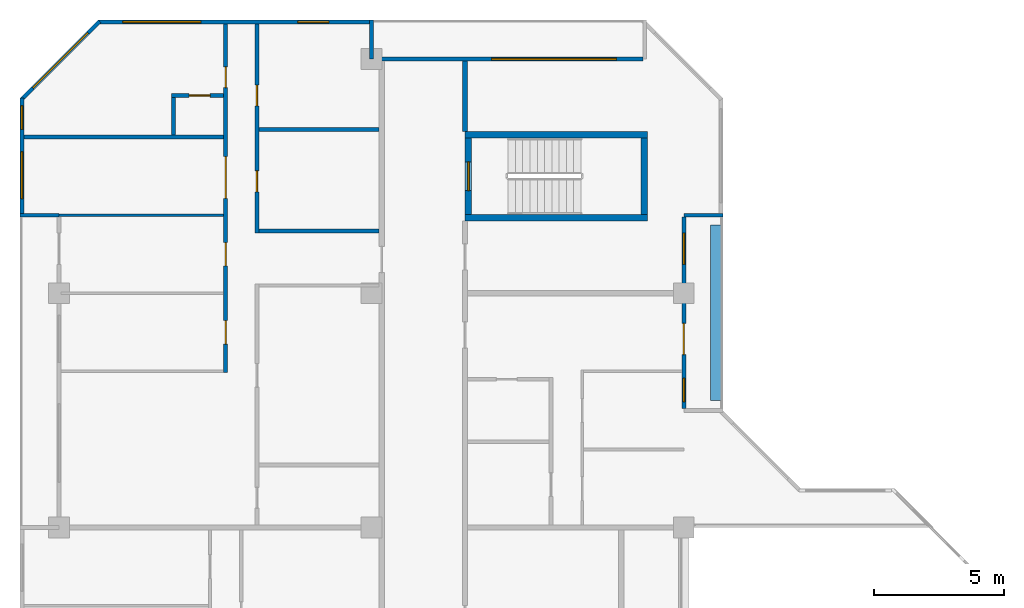
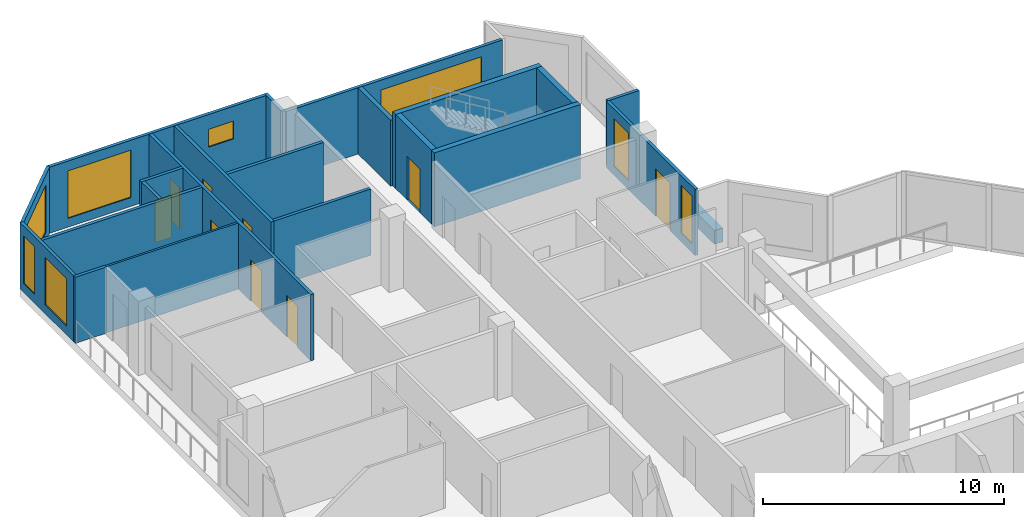
# One storey, part 10 of 13: 22 walls, 9 doors, 8 windows, 17 openings.
"""IFC4 building model written with IfcOpenShell, lengths in metres."""

from ifc_helpers import new_model, si_unit, direction, frame, frame_2d, origin, place, context, subcontext, project, spatial, rectangle, extrude, material, layer, layer_set, type_object, element, fill, save


model = new_model("IFC4")

# Units and contexts
model_context = context("Model", 3, precision=1e-05, world=origin(), true_north=direction((0.0, 1.0)))
body_context = subcontext(model_context, "Body", "Model", "MODEL_VIEW")
ifc_project = project(units=[si_unit("LENGTHUNIT", "METRE"), si_unit("AREAUNIT", "SQUARE_METRE"), si_unit("VOLUMEUNIT", "CUBIC_METRE"), si_unit("PLANEANGLEUNIT", "RADIAN"), si_unit("MASSUNIT", "GRAM", prefix="KILO")], contexts=[model_context])

# Site, building, storey
site_placement = place(None, origin())
site = spatial("IfcSite", under=ifc_project, at=site_placement, CompositionType="ELEMENT")
building_placement = place(site_placement, origin())
building = spatial("IfcBuilding", under=site, at=building_placement, Name="Chenar Terraces", CompositionType="ELEMENT")
storey_placement = place(building_placement, frame((0.0, 0.0, 284.64990234375)))
storey = spatial("IfcBuildingStorey", under=building, at=storey_placement, Name="L66", CompositionType="ELEMENT", Elevation=284.64990234375)

# Walls
ifc_material_1 = material(Name="Concrete C50/60", Category="concrete")
ifc_layer_1 = layer(ifc_material_1, 0.25)
ifc_layer_set_1 = layer_set([ifc_layer_1], Name="Concrete C50/60")
wall_type_1 = type_object("IfcWallType", Name="Core wall 250 Concrete C50/60", PredefinedType="SHEAR", material=ifc_layer_set_1)
for number, where, z_axis, x_axis, name in (
    (1, (15.60009765625, 47.89990234375, 0.0), (0.0, 0.0, 1.0), (1.0, 0.0, 0.0), "Core wall ST4_S L66"),
    (2, (15.60009765625, 51.10009765625, 0.0), (0.0, 0.0, 1.0), (1.0, 0.0, 0.0), "Core wall ST4_N L66"),
):
    element("IfcWall", number, at=place(storey_placement, frame(where, z_axis=z_axis, x_axis=x_axis)), inside=storey, type_object=wall_type_1, Name=name, PredefinedType="SHEAR", context=body_context, shape_type="SweptSolid", body=[
        extrude(rectangle(XDim=7.0, YDim=0.25, at=frame_2d((3.5, 0.0))), origin(), (0.0, 0.0, 1.0), 3.75),
    ])

# Wall, opening, door
wall_1_placement = place(storey_placement, frame((15.72509765625, 48.02490234375, 0.0), z_axis=(0.0, 0.0, 1.0), x_axis=(0.0, 1.0, 0.0)))
wall_1 = element("IfcWall", 3, at=wall_1_placement, inside=storey, type_object=wall_type_1, Name="Core wall ST4_W L66", PredefinedType="SHEAR", context=body_context, shape_type="SweptSolid", body=[
    extrude(rectangle(XDim=2.9501953125, YDim=0.25, at=frame_2d((1.47509765625, 0.0))), origin(), (0.0, 0.0, 1.0), 3.75),
])
opening_1_placement = place(wall_1_placement, frame((0.925048828125, 0.0, 0.0)))
opening_1 = element("IfcOpeningElement", 4, at=opening_1_placement, cuts=wall_1, Name="Opening DL66-C9", PredefinedType="OPENING", context=body_context, shape_type="SweptSolid", body=[
    extrude(rectangle(XDim=1.10009765625, YDim=2.199951171875, at=frame_2d((0.550048828125, 1.10009765625))), frame((0.0, 0.135009765625, 0.0), z_axis=(0.0, -1.0, 0.0), x_axis=(1.0, 0.0, 0.0)), (0.0, 0.0, 1.0), 0.27001953125),
])
ifc_material_2 = material(Name="Steel-framed fire-resisting door leaf", Category="steel")
door_type_1 = type_object("IfcDoorType", Name="Stair fire door FD60 1100 x 2200", OperationType="SINGLE_SWING_LEFT", PredefinedType="DOOR", material=ifc_material_2)
door_1_placement = place(opening_1_placement, frame((1.10009765625, 0.0, 0.0), z_axis=(0.0, 0.0, 1.0), x_axis=(-1.0, 0.0, 0.0)))
door_1 = element("IfcDoor", 5, at=door_1_placement, inside=storey, type_object=door_type_1, Name="Stair door DL66-C9", OperationType="SINGLE_SWING_RIGHT", OverallHeight=2.199951171875, OverallWidth=1.10009765625, PredefinedType="DOOR", context=body_context, shape_type="SweptSolid", body=[
    extrude(rectangle(XDim=1.10009765625, YDim=2.199951171875, at=frame_2d((0.550048828125, 1.10009765625))), frame((0.0, 0.02490234375, 0.0), z_axis=(0.0, -1.0, 0.0), x_axis=(1.0, 0.0, 0.0)), (0.0, 0.0, 1.0), 0.050048828125),
])
fill(opening_1, door_1)

# Walls
wall_2_placement = place(storey_placement, frame((22.47509765625, 48.02490234375, 0.0), z_axis=(0.0, 0.0, 1.0), x_axis=(0.0, 1.0, 0.0)))
element("IfcWall", 6, at=wall_2_placement, inside=storey, type_object=wall_type_1, Name="Core wall ST4_E L66", PredefinedType="SHEAR", context=body_context, shape_type="SweptSolid", body=[
    extrude(rectangle(XDim=2.9501953125, YDim=0.25, at=frame_2d((1.47509765625, 0.0))), origin(), (0.0, 0.0, 1.0), 3.75),
])
ifc_material_3 = material(Name="Gypsum board on steel studs with fire boards", Category="steel")
ifc_layer_2 = layer(ifc_material_3, 0.199951171875)
ifc_layer_set_2 = layer_set([ifc_layer_2], Name="Gypsum board on steel studs with fire boards")
wall_type_2 = type_object("IfcWallType", Name="Corridor wall 200", PredefinedType="PARTITIONING", material=ifc_layer_set_2)
wall_3_placement = place(storey_placement, frame((15.60009765625, 51.22509765625, 0.0), z_axis=(0.0, 0.0, 1.0), x_axis=(0.0, 1.0, 0.0)))
element("IfcWall", 7, at=wall_3_placement, inside=storey, type_object=wall_type_2, Name="Partition L66-030", PredefinedType="PARTITIONING", context=body_context, shape_type="SweptSolid", body=[
    extrude(rectangle(XDim=2.700927734375, YDim=0.199951171875, at=frame_2d((1.3505859375, 0.0))), origin(), (0.0, 0.0, 1.0), 3.35009765625),
])

# Wall, openings, windows
ifc_material_4 = material(Name="Aluminium framed glazing", Category="aluminium")
ifc_layer_3 = layer(ifc_material_4, 0.14990234375)
ifc_layer_set_3 = layer_set([ifc_layer_3], Name="Aluminium framed glazing")
wall_type_3 = type_object("IfcWallType", Name="Glazed flush facade wall 150", PredefinedType="SOLIDWALL", material=ifc_layer_set_3)
wall_4_placement = place(storey_placement, frame((11.925048828125, 55.425048828125, 0.0), z_axis=(0.0, 0.0, 1.0), x_axis=(-1.0, 0.0, 0.0)))
wall_4 = element("IfcWall", 8, at=wall_4_placement, inside=storey, type_object=wall_type_3, Name="Glazed flush facade wall", PredefinedType="SOLIDWALL", context=body_context, shape_type="SweptSolid", body=[
    extrude(rectangle(XDim=10.425048828125, YDim=0.14990234375, at=frame_2d((5.21240234375, 0.0))), origin(), (0.0, 0.0, 1.0), 3.35009765625),
])
opening_2_placement = place(wall_4_placement, frame((1.5625, 0.0, 1.699951171875)))
opening_2 = element("IfcOpeningElement", 9, at=opening_2_placement, cuts=wall_4, Name="Opening W120x90", PredefinedType="OPENING", context=body_context, shape_type="SweptSolid", body=[
    extrude(rectangle(XDim=1.199951171875, YDim=0.89990234375, at=frame_2d((0.60009765625, 0.449951171875))), frame((0.0, 0.0849609375, 0.0), z_axis=(0.0, -1.0, 0.0), x_axis=(1.0, 0.0, 0.0)), (0.0, 0.0, 1.0), 0.169921875),
])
opening_3_placement = place(wall_4_placement, frame((6.47509765625, 0.0, 0.449951171875)))
opening_3 = element("IfcOpeningElement", 10, at=opening_3_placement, cuts=wall_4, Name="Opening W300x240", PredefinedType="OPENING", context=body_context, shape_type="SweptSolid", body=[
    extrude(rectangle(XDim=3.0, YDim=2.39990234375, at=frame_2d((1.5, 1.199951171875))), frame((0.0, 0.0849609375, 0.0), z_axis=(0.0, -1.0, 0.0), x_axis=(1.0, 0.0, 0.0)), (0.0, 0.0, 1.0), 0.169921875),
])
ifc_material_5 = material(Name="Low emissivity double glazing, aluminium frame", Category="aluminium")
window_type_1 = type_object("IfcWindowType", Name="Fixed light 1200 x 900", PartitioningType="SINGLE_PANEL", PredefinedType="WINDOW", material=ifc_material_5)
window_1_placement = place(opening_2_placement, origin())
window_1 = element("IfcWindow", 11, at=window_1_placement, inside=storey, type_object=window_type_1, Name="Window", OverallHeight=0.89990234375, OverallWidth=1.199951171875, PartitioningType="SINGLE_PANEL", PredefinedType="WINDOW", context=body_context, shape_type="SweptSolid", body=[
    extrude(rectangle(XDim=1.199951171875, YDim=0.89990234375, at=frame_2d((0.60009765625, 0.449951171875))), frame((0.0, 0.030029296875, 0.0), z_axis=(0.0, -1.0, 0.0), x_axis=(1.0, 0.0, 0.0)), (0.0, 0.0, 1.0), 0.06005859375),
])
fill(opening_2, window_1)
ifc_material_6 = material(Name="Low emissivity double glazing, aluminium frame", Category="aluminium")
window_type_2 = type_object("IfcWindowType", Name="Fixed light 3000 x 2400", PartitioningType="SINGLE_PANEL", PredefinedType="WINDOW", material=ifc_material_6)
window_2_placement = place(opening_3_placement, origin())
window_2 = element("IfcWindow", 12, at=window_2_placement, inside=storey, type_object=window_type_2, Name="Window", OverallHeight=2.39990234375, OverallWidth=3.0, PartitioningType="SINGLE_PANEL", PredefinedType="WINDOW", context=body_context, shape_type="SweptSolid", body=[
    extrude(rectangle(XDim=3.0, YDim=2.39990234375, at=frame_2d((1.5, 1.199951171875))), frame((0.0, 0.030029296875, 0.0), z_axis=(0.0, -1.0, 0.0), x_axis=(1.0, 0.0, 0.0)), (0.0, 0.0, 1.0), 0.06005859375),
])
fill(opening_3, window_2)

wall_5_placement = place(storey_placement, frame((-1.425048828125, 52.5, 0.0), z_axis=(0.0, 0.0, 1.0), x_axis=(0.0, -1.0, 0.0)))
wall_5 = element("IfcWall", 13, at=wall_5_placement, inside=storey, type_object=wall_type_3, Name="Glazed flush facade wall", PredefinedType="SOLIDWALL", context=body_context, shape_type="SweptSolid", body=[
    extrude(rectangle(XDim=4.425048828125, YDim=0.14990234375, at=frame_2d((2.21240234375, 0.0))), origin(), (0.0, 0.0, 1.0), 3.35009765625),
])
opening_4_placement = place(wall_5_placement, frame((0.300048828125, 0.0, 0.449951171875)))
opening_4 = element("IfcOpeningElement", 14, at=opening_4_placement, cuts=wall_5, Name="Opening W90x240", PredefinedType="OPENING", context=body_context, shape_type="SweptSolid", body=[
    extrude(rectangle(XDim=0.89990234375, YDim=2.39990234375, at=frame_2d((0.449951171875, 1.199951171875))), frame((0.0, 0.0849609375, 0.0), z_axis=(0.0, -1.0, 0.0), x_axis=(1.0, 0.0, 0.0)), (0.0, 0.0, 1.0), 0.169921875),
])
opening_5_placement = place(wall_5_placement, frame((2.0625, 0.0, 0.449951171875)))
opening_5 = element("IfcOpeningElement", 15, at=opening_5_placement, cuts=wall_5, Name="Opening W180x240", PredefinedType="OPENING", context=body_context, shape_type="SweptSolid", body=[
    extrude(rectangle(XDim=1.800048828125, YDim=2.39990234375, at=frame_2d((0.89990234375, 1.199951171875))), frame((0.0, 0.0849609375, 0.0), z_axis=(0.0, -1.0, 0.0), x_axis=(1.0, 0.0, 0.0)), (0.0, 0.0, 1.0), 0.169921875),
])
ifc_material_7 = material(Name="Low emissivity double glazing, aluminium frame", Category="aluminium")
window_type_3 = type_object("IfcWindowType", Name="Fixed light 1800 x 2400", PartitioningType="SINGLE_PANEL", PredefinedType="WINDOW", material=ifc_material_7)
window_3_placement = place(opening_5_placement, origin())
window_3 = element("IfcWindow", 16, at=window_3_placement, inside=storey, type_object=window_type_3, Name="Window", OverallHeight=2.39990234375, OverallWidth=1.800048828125, PartitioningType="SINGLE_PANEL", PredefinedType="WINDOW", context=body_context, shape_type="SweptSolid", body=[
    extrude(rectangle(XDim=1.800048828125, YDim=2.39990234375, at=frame_2d((0.89990234375, 1.199951171875))), frame((0.0, 0.030029296875, 0.0), z_axis=(0.0, -1.0, 0.0), x_axis=(1.0, 0.0, 0.0)), (0.0, 0.0, 1.0), 0.06005859375),
])
fill(opening_5, window_3)
ifc_material_8 = material(Name="Low emissivity double glazing, aluminium frame", Category="aluminium")
window_type_4 = type_object("IfcWindowType", Name="Fixed light 900 x 2400", PartitioningType="SINGLE_PANEL", PredefinedType="WINDOW", material=ifc_material_8)
window_4_placement = place(opening_4_placement, origin())
window_4 = element("IfcWindow", 17, at=window_4_placement, inside=storey, type_object=window_type_4, Name="Window", OverallHeight=2.39990234375, OverallWidth=0.89990234375, PartitioningType="SINGLE_PANEL", PredefinedType="WINDOW", context=body_context, shape_type="SweptSolid", body=[
    extrude(rectangle(XDim=0.89990234375, YDim=2.39990234375, at=frame_2d((0.449951171875, 1.199951171875))), frame((0.0, 0.030029296875, 0.0), z_axis=(0.0, -1.0, 0.0), x_axis=(1.0, 0.0, 0.0)), (0.0, 0.0, 1.0), 0.06005859375),
])
fill(opening_4, window_4)

# Wall, openings, windows, door
ifc_material_9 = material(Name="Aluminium framed glazing", Category="aluminium")
ifc_layer_4 = layer(ifc_material_9, 0.14990234375)
ifc_layer_set_4 = layer_set([ifc_layer_4], Name="Aluminium framed glazing")
wall_type_4 = type_object("IfcWallType", Name="Glazed loggia back wall 150", PredefinedType="SOLIDWALL", material=ifc_layer_set_4)
wall_6_placement = place(storey_placement, frame((24.0, 40.574951171875, 0.0), z_axis=(0.0, 0.0, 1.0), x_axis=(0.0, 1.0, 0.0)))
wall_6 = element("IfcWall", 18, at=wall_6_placement, inside=storey, type_object=wall_type_4, Name="Glazed loggia back wall", PredefinedType="SOLIDWALL", context=body_context, shape_type="SweptSolid", body=[
    extrude(rectangle(XDim=7.35009765625, YDim=0.14990234375, at=frame_2d((3.675048828125, 0.0))), origin(), (0.0, 0.0, 1.0), 3.35009765625),
])
opening_6_placement = place(wall_6_placement, frame((0.262451171875, 0.0, 0.449951171875)))
opening_6 = element("IfcOpeningElement", 19, at=opening_6_placement, cuts=wall_6, Name="Opening W90x240", PredefinedType="OPENING", context=body_context, shape_type="SweptSolid", body=[
    extrude(rectangle(XDim=0.89990234375, YDim=2.39990234375, at=frame_2d((0.449951171875, 1.199951171875))), frame((0.0, 0.0849609375, 0.0), z_axis=(0.0, -1.0, 0.0), x_axis=(1.0, 0.0, 0.0)), (0.0, 0.0, 1.0), 0.169921875),
])
opening_7_placement = place(wall_6_placement, frame((2.074951171875, 0.0, 0.0)))
opening_7 = element("IfcOpeningElement", 20, at=opening_7_placement, cuts=wall_6, Name="Opening DL66-G2", PredefinedType="OPENING", context=body_context, shape_type="SweptSolid", body=[
    extrude(rectangle(XDim=1.199951171875, YDim=2.39990234375, at=frame_2d((0.60009765625, 1.199951171875))), frame((0.0, 0.0849609375, 0.0), z_axis=(0.0, -1.0, 0.0), x_axis=(1.0, 0.0, 0.0)), (0.0, 0.0, 1.0), 0.169921875),
])
opening_8_placement = place(wall_6_placement, frame((5.53759765625, 0.0, 0.449951171875)))
opening_8 = element("IfcOpeningElement", 21, at=opening_8_placement, cuts=wall_6, Name="Opening W120x240", PredefinedType="OPENING", context=body_context, shape_type="SweptSolid", body=[
    extrude(rectangle(XDim=1.199951171875, YDim=2.39990234375, at=frame_2d((0.60009765625, 1.199951171875))), frame((0.0, 0.0849609375, 0.0), z_axis=(0.0, -1.0, 0.0), x_axis=(1.0, 0.0, 0.0)), (0.0, 0.0, 1.0), 0.169921875),
])
ifc_material_10 = material(Name="Low emissivity double glazing, aluminium frame", Category="aluminium")
window_type_5 = type_object("IfcWindowType", Name="Fixed light 1200 x 2400", PartitioningType="SINGLE_PANEL", PredefinedType="WINDOW", material=ifc_material_10)
window_5_placement = place(opening_8_placement, origin())
window_5 = element("IfcWindow", 22, at=window_5_placement, inside=storey, type_object=window_type_5, Name="Window", OverallHeight=2.39990234375, OverallWidth=1.199951171875, PartitioningType="SINGLE_PANEL", PredefinedType="WINDOW", context=body_context, shape_type="SweptSolid", body=[
    extrude(rectangle(XDim=1.199951171875, YDim=2.39990234375, at=frame_2d((0.60009765625, 1.199951171875))), frame((0.0, 0.030029296875, 0.0), z_axis=(0.0, -1.0, 0.0), x_axis=(1.0, 0.0, 0.0)), (0.0, 0.0, 1.0), 0.06005859375),
])
fill(opening_8, window_5)
window_6_placement = place(opening_6_placement, origin())
window_6 = element("IfcWindow", 23, at=window_6_placement, inside=storey, type_object=window_type_4, Name="Window", OverallHeight=2.39990234375, OverallWidth=0.89990234375, PartitioningType="SINGLE_PANEL", PredefinedType="WINDOW", context=body_context, shape_type="SweptSolid", body=[
    extrude(rectangle(XDim=0.89990234375, YDim=2.39990234375, at=frame_2d((0.449951171875, 1.199951171875))), frame((0.0, 0.030029296875, 0.0), z_axis=(0.0, -1.0, 0.0), x_axis=(1.0, 0.0, 0.0)), (0.0, 0.0, 1.0), 0.06005859375),
])
fill(opening_6, window_6)
ifc_material_11 = material(Name="Low emissivity double glazing, aluminium frame", Category="aluminium")
door_type_2 = type_object("IfcDoorType", Name="Loggia glazed double door 1200 x 2400", OperationType="DOUBLE_DOOR_SINGLE_SWING", PredefinedType="DOOR", material=ifc_material_11)
door_2_placement = place(opening_7_placement, frame((1.199951171875, 0.0, 0.0), z_axis=(0.0, 0.0, 1.0), x_axis=(-1.0, 0.0, 0.0)))
door_2 = element("IfcDoor", 24, at=door_2_placement, inside=storey, type_object=door_type_2, Name="Loggia glazed door", OperationType="DOUBLE_DOOR_SINGLE_SWING", OverallHeight=2.39990234375, OverallWidth=1.199951171875, PredefinedType="DOOR", context=body_context, shape_type="SweptSolid", body=[
    extrude(rectangle(XDim=1.199951171875, YDim=2.39990234375, at=frame_2d((0.60009765625, 1.199951171875))), frame((0.0, 0.02490234375, 0.0), z_axis=(0.0, -1.0, 0.0), x_axis=(1.0, 0.0, 0.0)), (0.0, 0.0, 1.0), 0.050048828125),
])
fill(opening_7, door_2)

# Wall, opening, window
wall_7_placement = place(storey_placement, frame((22.425048828125, 54.0, 0.0), z_axis=(0.0, 0.0, 1.0), x_axis=(-1.0, 0.0, 0.0)))
wall_7 = element("IfcWall", 25, at=wall_7_placement, inside=storey, type_object=wall_type_4, Name="Glazed loggia back wall", PredefinedType="SOLIDWALL", context=body_context, shape_type="SweptSolid", body=[
    extrude(rectangle(XDim=10.35009765625, YDim=0.14990234375, at=frame_2d((5.175048828125, 0.0))), origin(), (0.0, 0.0, 1.0), 3.35009765625),
])
opening_9_placement = place(wall_7_placement, frame((1.012451171875, 0.0, 0.449951171875)))
opening_9 = element("IfcOpeningElement", 26, at=opening_9_placement, cuts=wall_7, Name="Opening W480x240", PredefinedType="OPENING", context=body_context, shape_type="SweptSolid", body=[
    extrude(rectangle(XDim=4.800048828125, YDim=2.39990234375, at=frame_2d((2.39990234375, 1.199951171875))), frame((0.0, 0.0849609375, 0.0), z_axis=(0.0, -1.0, 0.0), x_axis=(1.0, 0.0, 0.0)), (0.0, 0.0, 1.0), 0.169921875),
])
ifc_material_12 = material(Name="Low emissivity double glazing, aluminium frame", Category="aluminium")
window_type_6 = type_object("IfcWindowType", Name="Fixed light 4800 x 2400", PartitioningType="SINGLE_PANEL", PredefinedType="WINDOW", material=ifc_material_12)
window_7_placement = place(opening_9_placement, origin())
window_7 = element("IfcWindow", 27, at=window_7_placement, inside=storey, type_object=window_type_6, Name="Window", OverallHeight=2.39990234375, OverallWidth=4.800048828125, PartitioningType="SINGLE_PANEL", PredefinedType="WINDOW", context=body_context, shape_type="SweptSolid", body=[
    extrude(rectangle(XDim=4.800048828125, YDim=2.39990234375, at=frame_2d((2.39990234375, 1.199951171875))), frame((0.0, 0.030029296875, 0.0), z_axis=(0.0, -1.0, 0.0), x_axis=(1.0, 0.0, 0.0)), (0.0, 0.0, 1.0), 0.06005859375),
])
fill(opening_9, window_7)

# Walls
ifc_material_13 = material(Name="Gypsum board on steel studs", Category="steel")
ifc_layer_5 = layer(ifc_material_13, 0.10009765625)
ifc_layer_set_5 = layer_set([ifc_layer_5], Name="Gypsum board on steel studs")
wall_type_5 = type_object("IfcWallType", Name="Gypsum partition 100", PredefinedType="PARTITIONING", material=ifc_layer_set_5)
wall_8_placement = place(storey_placement, frame((0.0, 48.0, 0.0), z_axis=(0.0, 0.0, 1.0), x_axis=(1.0, 0.0, 0.0)))
element("IfcWall", 28, at=wall_8_placement, inside=storey, type_object=wall_type_5, Name="Partition L66-005", PredefinedType="PARTITIONING", context=body_context, shape_type="SweptSolid", body=[
    extrude(rectangle(XDim=6.324951171875, YDim=0.10009765625, at=frame_2d((3.16259765625, 0.0))), origin(), (0.0, 0.0, 1.0), 3.35009765625),
])
ifc_material_14 = material(Name="Terracotta cladding on insulated backing", Category="masonry")
ifc_layer_6 = layer(ifc_material_14, 0.14990234375)
ifc_layer_set_6 = layer_set([ifc_layer_6], Name="Terracotta cladding on insulated backing")
wall_type_6 = type_object("IfcWallType", Name="Loggia return wall 150", PredefinedType="SOLIDWALL", material=ifc_layer_set_6)
for number, where, z_axis, x_axis, name in (
    (29, (25.5, 48.0, 0.0), (0.0, 0.0, 1.0), (-1.0, 0.0, 0.0), "Loggia return wall"),
    (30, (12.0, 55.5, 0.0), (0.0, 0.0, 1.0), (0.0, -1.0, 0.0), "Loggia return wall"),
    (31, (-1.5, 48.0, 0.0), (0.0, 0.0, 1.0), (1.0, 0.0, 0.0), "Loggia return wall"),
):
    element("IfcWall", number, at=place(storey_placement, frame(where, z_axis=z_axis, x_axis=x_axis)), inside=storey, type_object=wall_type_6, Name=name, PredefinedType="SOLIDWALL", context=body_context, shape_type="SweptSolid", body=[
        extrude(rectangle(XDim=1.5, YDim=0.14990234375, at=frame_2d((0.75, 0.0))), origin(), (0.0, 0.0, 1.0), 3.35009765625),
    ])

# Wall, opening, window
ifc_material_15 = material(Name="Terracotta cladding on insulated backing", Category="masonry")
ifc_layer_7 = layer(ifc_material_15, 0.14990234375)
ifc_layer_set_7 = layer_set([ifc_layer_7], Name="Terracotta cladding on insulated backing")
wall_type_7 = type_object("IfcWallType", Name="Terracotta rainscreen wall 150", PredefinedType="SOLIDWALL", material=ifc_layer_set_7)
wall_9_placement = place(storey_placement, frame((1.552978515625, 55.447021484375, 0.0), z_axis=(0.0, 0.0, 1.0), x_axis=(-0.707106781187, -0.707106781187, 0.0)))
wall_9 = element("IfcWall", 32, at=wall_9_placement, inside=storey, type_object=wall_type_7, Name="Terracotta rainscreen wall", PredefinedType="SOLIDWALL", context=body_context, shape_type="SweptSolid", body=[
    extrude(rectangle(XDim=4.24267578125, YDim=0.14990234375, at=frame_2d((2.121337890625, 0.0))), origin(), (0.0, 0.0, 1.0), 3.35009765625),
])
opening_10_placement = place(wall_9_placement, frame((0.621337890625, 0.0, 0.449951171875)))
opening_10 = element("IfcOpeningElement", 33, at=opening_10_placement, cuts=wall_9, Name="Opening W300x240", PredefinedType="OPENING", context=body_context, shape_type="SweptSolid", body=[
    extrude(rectangle(XDim=3.0, YDim=2.39990234375, at=frame_2d((1.5, 1.199951171875))), frame((0.0, 0.0849609375, 0.0), z_axis=(0.0, -1.0, 0.0), x_axis=(1.0, 0.0, 0.0)), (0.0, 0.0, 1.0), 0.169921875),
])
window_8_placement = place(opening_10_placement, origin())
window_8 = element("IfcWindow", 34, at=window_8_placement, inside=storey, type_object=window_type_2, Name="Window", OverallHeight=2.39990234375, OverallWidth=3.0, PartitioningType="SINGLE_PANEL", PredefinedType="WINDOW", context=body_context, shape_type="SweptSolid", body=[
    extrude(rectangle(XDim=3.0, YDim=2.39990234375, at=frame_2d((1.5, 1.199951171875))), frame((0.0, 0.030029296875, 0.0), z_axis=(0.0, -1.0, 0.0), x_axis=(1.0, 0.0, 0.0)), (0.0, 0.0, 1.0), 0.06005859375),
])
fill(opening_10, window_8)

# Walls
ifc_material_16 = material(Name="GRP planter trough")
ifc_layer_8 = layer(ifc_material_16, 0.39990234375)
ifc_layer_set_8 = layer_set([ifc_layer_8], Name="GRP planter trough")
wall_type_8 = type_object("IfcWallType", Name="Vertical greenery planter 400", PredefinedType="SOLIDWALL", material=ifc_layer_set_8)
wall_10_placement = place(storey_placement, frame((25.22900390625, 40.875, 0.0), z_axis=(0.0, 0.0, 1.0), x_axis=(0.0, 1.0, 0.0)))
element("IfcWall", 35, at=wall_10_placement, inside=storey, type_object=wall_type_8, Name="Vertical greenery planter", PredefinedType="SOLIDWALL", context=body_context, shape_type="SweptSolid", body=[
    extrude(rectangle(XDim=6.75, YDim=0.39990234375, at=frame_2d((3.375, 0.0))), origin(), (0.0, 0.0, 1.0), 0.7001953125),
])
ifc_material_17 = material(Name="Moisture-resistant gypsum board on steel studs", Category="steel")
ifc_layer_9 = layer(ifc_material_17, 0.14990234375)
ifc_layer_set_9 = layer_set([ifc_layer_9], Name="Moisture-resistant gypsum board on steel studs")
wall_type_9 = type_object("IfcWallType", Name="Wet-room partition 150", PredefinedType="PARTITIONING", material=ifc_layer_set_9)
wall_11_placement = place(storey_placement, frame((-1.35107421875, 51.0, 0.0), z_axis=(0.0, 0.0, 1.0), x_axis=(1.0, 0.0, 0.0)))
element("IfcWall", 36, at=wall_11_placement, inside=storey, type_object=wall_type_9, Name="Partition L66-002", PredefinedType="PARTITIONING", context=body_context, shape_type="SweptSolid", body=[
    extrude(rectangle(XDim=7.676025390625, YDim=0.14990234375, at=frame_2d((3.837890625, 0.0))), origin(), (0.0, 0.0, 1.0), 3.35009765625),
])

# Wall, opening, door
wall_12_placement = place(storey_placement, frame((4.324951171875, 52.60009765625, 0.0), z_axis=(0.0, 0.0, 1.0), x_axis=(1.0, 0.0, 0.0)))
wall_12 = element("IfcWall", 37, at=wall_12_placement, inside=storey, type_object=wall_type_9, Name="Partition L66-011", PredefinedType="PARTITIONING", context=body_context, shape_type="SweptSolid", body=[
    extrude(rectangle(XDim=2.0, YDim=0.14990234375, at=frame_2d((1.0, 0.0))), origin(), (0.0, 0.0, 1.0), 3.35009765625),
])
opening_11_placement = place(wall_12_placement, frame((0.675048828125, 0.0, 0.0)))
opening_11 = element("IfcOpeningElement", 38, at=opening_11_placement, cuts=wall_12, Name="Opening DL66-26", PredefinedType="OPENING", context=body_context, shape_type="SweptSolid", body=[
    extrude(rectangle(XDim=0.800048828125, YDim=2.10009765625, at=frame_2d((0.39990234375, 1.050048828125))), frame((0.0, 0.0849609375, 0.0), z_axis=(0.0, -1.0, 0.0), x_axis=(1.0, 0.0, 0.0)), (0.0, 0.0, 1.0), 0.169921875),
])
ifc_material_18 = material(Name="Veneered timber door leaf", Category="wood")
door_type_3 = type_object("IfcDoorType", Name="Door 800 x 2100", OperationType="SINGLE_SWING_LEFT", PredefinedType="DOOR", material=ifc_material_18)
door_3_placement = place(opening_11_placement, frame((0.800048828125, 0.0, 0.0), z_axis=(0.0, 0.0, 1.0), x_axis=(-1.0, 0.0, 0.0)))
door_3 = element("IfcDoor", 39, at=door_3_placement, inside=storey, type_object=door_type_3, Name="Door DL66-26", OperationType="SINGLE_SWING_RIGHT", OverallHeight=2.10009765625, OverallWidth=0.800048828125, PredefinedType="DOOR", context=body_context, shape_type="SweptSolid", body=[
    extrude(rectangle(XDim=0.800048828125, YDim=2.10009765625, at=frame_2d((0.39990234375, 1.050048828125))), frame((0.0, 0.02490234375, 0.0), z_axis=(0.0, -1.0, 0.0), x_axis=(1.0, 0.0, 0.0)), (0.0, 0.0, 1.0), 0.050048828125),
])
fill(opening_11, door_3)

# Wall
wall_13_placement = place(storey_placement, frame((4.39990234375, 51.074951171875, 0.0), z_axis=(0.0, 0.0, 1.0), x_axis=(0.0, 1.0, 0.0)))
element("IfcWall", 40, at=wall_13_placement, inside=storey, type_object=wall_type_9, Name="Partition L66-012", PredefinedType="PARTITIONING", context=body_context, shape_type="SweptSolid", body=[
    extrude(rectangle(XDim=1.449951171875, YDim=0.14990234375, at=frame_2d((0.72509765625, 0.0))), origin(), (0.0, 0.0, 1.0), 3.35009765625),
])

# Wall, openings, doors
wall_14_placement = place(storey_placement, frame((6.39990234375, 41.949951171875, 0.0), z_axis=(0.0, 0.0, 1.0), x_axis=(0.0, 1.0, 0.0)))
wall_14 = element("IfcWall", 41, at=wall_14_placement, inside=storey, type_object=wall_type_9, Name="Partition L66-014", PredefinedType="PARTITIONING", context=body_context, shape_type="SweptSolid", body=[
    extrude(rectangle(XDim=13.400146484375, YDim=0.14990234375, at=frame_2d((6.7001953125, 0.0))), origin(), (0.0, 0.0, 1.0), 3.35009765625),
])
opening_12_placement = place(wall_14_placement, frame((1.10009765625, 0.0, 0.0)))
opening_12 = element("IfcOpeningElement", 42, at=opening_12_placement, cuts=wall_14, Name="Opening DL66-19", PredefinedType="OPENING", context=body_context, shape_type="SweptSolid", body=[
    extrude(rectangle(XDim=0.89990234375, YDim=2.10009765625, at=frame_2d((0.449951171875, 1.050048828125))), frame((0.0, 0.0849609375, 0.0), z_axis=(0.0, -1.0, 0.0), x_axis=(1.0, 0.0, 0.0)), (0.0, 0.0, 1.0), 0.169921875),
])
opening_13_placement = place(wall_14_placement, frame((4.10009765625, 0.0, 0.0)))
opening_13 = element("IfcOpeningElement", 43, at=opening_13_placement, cuts=wall_14, Name="Opening DL66-20", PredefinedType="OPENING", context=body_context, shape_type="SweptSolid", body=[
    extrude(rectangle(XDim=0.89990234375, YDim=2.10009765625, at=frame_2d((0.449951171875, 1.050048828125))), frame((0.0, 0.0849609375, 0.0), z_axis=(0.0, -1.0, 0.0), x_axis=(1.0, 0.0, 0.0)), (0.0, 0.0, 1.0), 0.169921875),
])
opening_14_placement = place(wall_14_placement, frame((10.949951171875, 0.0, 0.0)))
opening_14 = element("IfcOpeningElement", 44, at=opening_14_placement, cuts=wall_14, Name="Opening DL66-25", PredefinedType="OPENING", context=body_context, shape_type="SweptSolid", body=[
    extrude(rectangle(XDim=0.800048828125, YDim=2.10009765625, at=frame_2d((0.39990234375, 1.050048828125))), frame((0.0, 0.0849609375, 0.0), z_axis=(0.0, -1.0, 0.0), x_axis=(1.0, 0.0, 0.0)), (0.0, 0.0, 1.0), 0.169921875),
])
opening_15_placement = place(wall_14_placement, frame((6.699951171875, 0.0, 0.0)))
opening_15 = element("IfcOpeningElement", 45, at=opening_15_placement, cuts=wall_14, Name="Opening DL66-27", PredefinedType="OPENING", context=body_context, shape_type="SweptSolid", body=[
    extrude(rectangle(XDim=1.60009765625, YDim=2.10009765625, at=frame_2d((0.800048828125, 1.050048828125))), frame((0.0, 0.0849609375, 0.0), z_axis=(0.0, -1.0, 0.0), x_axis=(1.0, 0.0, 0.0)), (0.0, 0.0, 1.0), 0.169921875),
])
door_4_placement = place(opening_14_placement, origin())
door_4 = element("IfcDoor", 46, at=door_4_placement, inside=storey, type_object=door_type_3, Name="Door DL66-25", OperationType="SINGLE_SWING_LEFT", OverallHeight=2.10009765625, OverallWidth=0.800048828125, PredefinedType="DOOR", context=body_context, shape_type="SweptSolid", body=[
    extrude(rectangle(XDim=0.800048828125, YDim=2.10009765625, at=frame_2d((0.39990234375, 1.050048828125))), frame((0.0, 0.02490234375, 0.0), z_axis=(0.0, -1.0, 0.0), x_axis=(1.0, 0.0, 0.0)), (0.0, 0.0, 1.0), 0.050048828125),
])
fill(opening_14, door_4)
ifc_material_19 = material(Name="Veneered timber door leaf", Category="wood")
door_type_4 = type_object("IfcDoorType", Name="Door 900 x 2100", OperationType="SINGLE_SWING_LEFT", PredefinedType="DOOR", material=ifc_material_19)
door_5_placement = place(opening_12_placement, origin())
door_5 = element("IfcDoor", 47, at=door_5_placement, inside=storey, type_object=door_type_4, Name="Door DL66-19", OperationType="SINGLE_SWING_LEFT", OverallHeight=2.10009765625, OverallWidth=0.89990234375, PredefinedType="DOOR", context=body_context, shape_type="SweptSolid", body=[
    extrude(rectangle(XDim=0.89990234375, YDim=2.10009765625, at=frame_2d((0.449951171875, 1.050048828125))), frame((0.0, 0.02490234375, 0.0), z_axis=(0.0, -1.0, 0.0), x_axis=(1.0, 0.0, 0.0)), (0.0, 0.0, 1.0), 0.050048828125),
])
fill(opening_12, door_5)
door_6_placement = place(opening_13_placement, origin())
door_6 = element("IfcDoor", 48, at=door_6_placement, inside=storey, type_object=door_type_4, Name="Door DL66-20", OperationType="SINGLE_SWING_LEFT", OverallHeight=2.10009765625, OverallWidth=0.89990234375, PredefinedType="DOOR", context=body_context, shape_type="SweptSolid", body=[
    extrude(rectangle(XDim=0.89990234375, YDim=2.10009765625, at=frame_2d((0.449951171875, 1.050048828125))), frame((0.0, 0.02490234375, 0.0), z_axis=(0.0, -1.0, 0.0), x_axis=(1.0, 0.0, 0.0)), (0.0, 0.0, 1.0), 0.050048828125),
])
fill(opening_13, door_6)
ifc_material_20 = material(Name="Veneered timber door leaf", Category="wood")
door_type_5 = type_object("IfcDoorType", Name="Double door 1600 x 2100", OperationType="DOUBLE_DOOR_SINGLE_SWING", PredefinedType="DOOR", material=ifc_material_20)
door_7_placement = place(opening_15_placement, origin())
door_7 = element("IfcDoor", 49, at=door_7_placement, inside=storey, type_object=door_type_5, Name="Door DL66-27", OperationType="DOUBLE_DOOR_SINGLE_SWING", OverallHeight=2.10009765625, OverallWidth=1.60009765625, PredefinedType="DOOR", context=body_context, shape_type="SweptSolid", body=[
    extrude(rectangle(XDim=1.60009765625, YDim=2.10009765625, at=frame_2d((0.800048828125, 1.050048828125))), frame((0.0, 0.02490234375, 0.0), z_axis=(0.0, -1.0, 0.0), x_axis=(1.0, 0.0, 0.0)), (0.0, 0.0, 1.0), 0.050048828125),
])
fill(opening_15, door_7)

wall_15_placement = place(storey_placement, frame((7.60009765625, 47.324951171875, 0.0), z_axis=(0.0, 0.0, 1.0), x_axis=(0.0, 1.0, 0.0)))
wall_15 = element("IfcWall", 50, at=wall_15_placement, inside=storey, type_object=wall_type_9, Name="Partition L66-019", PredefinedType="PARTITIONING", context=body_context, shape_type="SweptSolid", body=[
    extrude(rectangle(XDim=8.025146484375, YDim=0.14990234375, at=frame_2d((4.0126953125, 0.0))), origin(), (0.0, 0.0, 1.0), 3.35009765625),
])
opening_16_placement = place(wall_15_placement, frame((1.574951171875, 0.0, 0.0)))
opening_16 = element("IfcOpeningElement", 51, at=opening_16_placement, cuts=wall_15, Name="Opening DL66-18", PredefinedType="OPENING", context=body_context, shape_type="SweptSolid", body=[
    extrude(rectangle(XDim=0.800048828125, YDim=2.10009765625, at=frame_2d((0.39990234375, 1.050048828125))), frame((0.0, 0.0849609375, 0.0), z_axis=(0.0, -1.0, 0.0), x_axis=(1.0, 0.0, 0.0)), (0.0, 0.0, 1.0), 0.169921875),
])
opening_17_placement = place(wall_15_placement, frame((4.875, 0.0, 0.0)))
opening_17 = element("IfcOpeningElement", 52, at=opening_17_placement, cuts=wall_15, Name="Opening DL66-23", PredefinedType="OPENING", context=body_context, shape_type="SweptSolid", body=[
    extrude(rectangle(XDim=0.800048828125, YDim=2.10009765625, at=frame_2d((0.39990234375, 1.050048828125))), frame((0.0, 0.0849609375, 0.0), z_axis=(0.0, -1.0, 0.0), x_axis=(1.0, 0.0, 0.0)), (0.0, 0.0, 1.0), 0.169921875),
])
door_8_placement = place(opening_16_placement, frame((0.800048828125, 0.0, 0.0), z_axis=(0.0, 0.0, 1.0), x_axis=(-1.0, 0.0, 0.0)))
door_8 = element("IfcDoor", 53, at=door_8_placement, inside=storey, type_object=door_type_3, Name="Door DL66-18", OperationType="SINGLE_SWING_RIGHT", OverallHeight=2.10009765625, OverallWidth=0.800048828125, PredefinedType="DOOR", context=body_context, shape_type="SweptSolid", body=[
    extrude(rectangle(XDim=0.800048828125, YDim=2.10009765625, at=frame_2d((0.39990234375, 1.050048828125))), frame((0.0, 0.02490234375, 0.0), z_axis=(0.0, -1.0, 0.0), x_axis=(1.0, 0.0, 0.0)), (0.0, 0.0, 1.0), 0.050048828125),
])
fill(opening_16, door_8)
door_9_placement = place(opening_17_placement, frame((0.800048828125, 0.0, 0.0), z_axis=(0.0, 0.0, 1.0), x_axis=(-1.0, 0.0, 0.0)))
door_9 = element("IfcDoor", 54, at=door_9_placement, inside=storey, type_object=door_type_3, Name="Door DL66-23", OperationType="SINGLE_SWING_RIGHT", OverallHeight=2.10009765625, OverallWidth=0.800048828125, PredefinedType="DOOR", context=body_context, shape_type="SweptSolid", body=[
    extrude(rectangle(XDim=0.800048828125, YDim=2.10009765625, at=frame_2d((0.39990234375, 1.050048828125))), frame((0.0, 0.02490234375, 0.0), z_axis=(0.0, -1.0, 0.0), x_axis=(1.0, 0.0, 0.0)), (0.0, 0.0, 1.0), 0.050048828125),
])
fill(opening_17, door_9)

# Walls
for number, where, z_axis, x_axis, name in (
    (55, (7.675048828125, 47.39990234375, 0.0), (0.0, 0.0, 1.0), (1.0, 0.0, 0.0), "Partition L66-022"),
    (56, (7.675048828125, 51.300048828125, 0.0), (0.0, 0.0, 1.0), (1.0, 0.0, 0.0), "Partition L66-023"),
):
    element("IfcWall", number, at=place(storey_placement, frame(where, z_axis=z_axis, x_axis=x_axis)), inside=storey, type_object=wall_type_9, Name=name, PredefinedType="PARTITIONING", context=body_context, shape_type="SweptSolid", body=[
        extrude(rectangle(XDim=4.625, YDim=0.14990234375, at=frame_2d((2.3125, 0.0))), origin(), (0.0, 0.0, 1.0), 3.35009765625),
    ])

save(model, "model.ifc")
